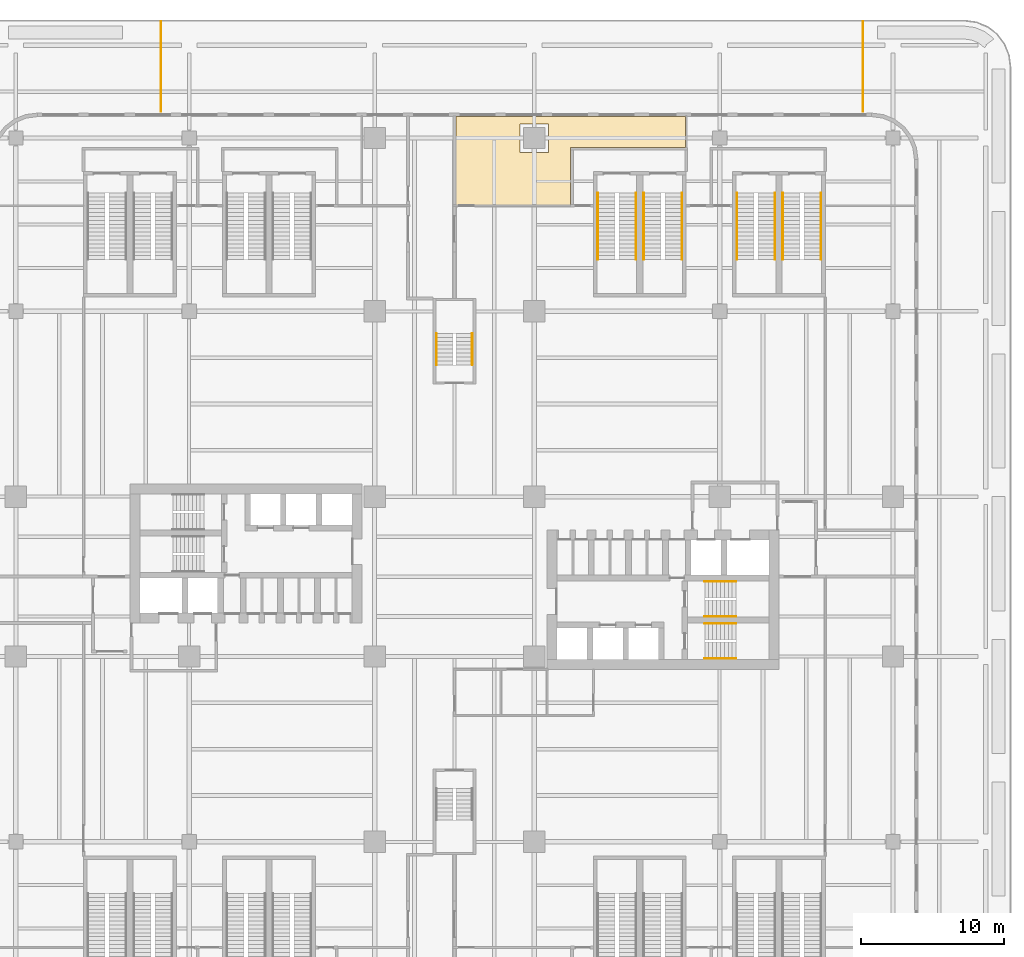
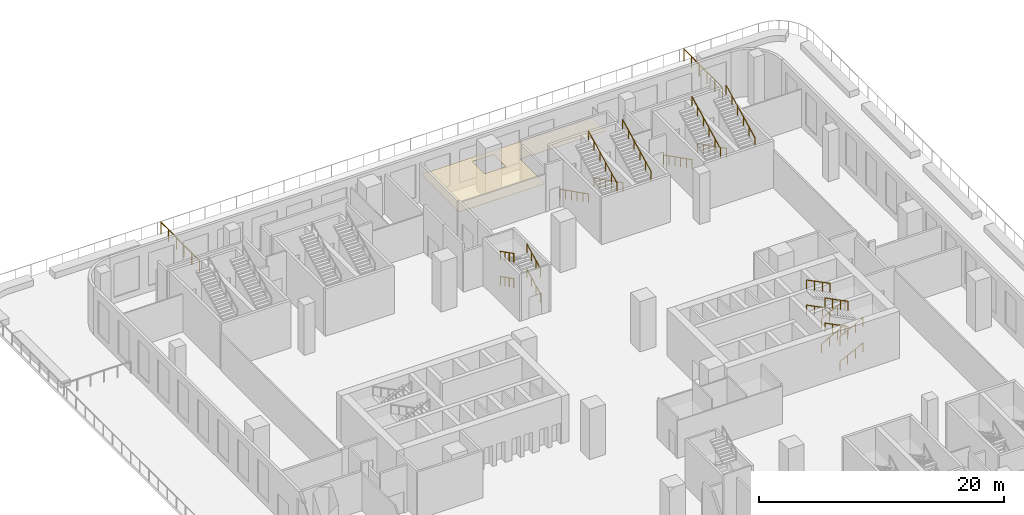
# One storey, part 17 of 17: 22 railings, 1 covering.
"""IFC4 building model written with IfcOpenShell, lengths in metres."""

from ifc_helpers import new_model, si_unit, direction, frame, origin, origin_2d, place, context, subcontext, project, spatial, polyline, rectangle, circle, outline, extrude, source, transform, mapped, material, layer, layer_set, type_object, element, save


model = new_model("IFC4")

# Units and contexts
model_context = context("Model", 3, precision=1e-05, world=origin(), true_north=direction((0.0, 1.0)))
body_context = subcontext(model_context, "Body", "Model", "MODEL_VIEW")
ifc_project = project(units=[si_unit("LENGTHUNIT", "METRE"), si_unit("AREAUNIT", "SQUARE_METRE"), si_unit("VOLUMEUNIT", "CUBIC_METRE"), si_unit("PLANEANGLEUNIT", "RADIAN"), si_unit("MASSUNIT", "GRAM", prefix="KILO")], contexts=[model_context])

# Site, building, storey
site_placement = place(None, origin())
site = spatial("IfcSite", under=ifc_project, at=site_placement, CompositionType="ELEMENT")
building_placement = place(site_placement, origin())
building = spatial("IfcBuilding", under=site, at=building_placement, Name="Trellis Farm Tower", CompositionType="ELEMENT")
storey_placement = place(building_placement, frame((0.0, 0.0, 24.0)))
storey = spatial("IfcBuildingStorey", under=building, at=storey_placement, Name="L04", CompositionType="ELEMENT", Elevation=24.0)

# Covering
ifc_material_1 = material(Name="Mineral fibre ceiling tile on concealed grid")
ifc_layer = layer(ifc_material_1, 0.0400390625)
ifc_layer_set = layer_set([ifc_layer], Name="MINERAL FIBRE CEILING TILE 40")
covering_type = type_object("IfcCoveringType", Name="MINERAL FIBRE CEILING TILE 40", PredefinedType="CEILING", material=ifc_layer_set)
covering_placement = place(storey_placement, frame((0.0, 0.0, 2.699951171875)))
element("IfcCovering", 1, at=covering_placement, inside=storey, type_object=covering_type, Name="CL1 suspended ceiling", PredefinedType="CEILING", context=body_context, shape_type="SweptSolid", body=[
    extrude(outline(polyline([(16.199951171875, 30.10009765625), (8.14990234375, 30.10009765625), (8.14990234375, 26.0625), (0.10009765625, 26.0625), (0.10009765625, 32.25), (16.199951171875, 32.25), (16.199951171875, 30.10009765625)]), holes=[polyline([(4.60009765625, 29.75), (6.60009765625, 29.75), (6.60009765625, 31.75), (4.60009765625, 31.75), (4.60009765625, 29.75)])]), origin(), (0.0, 0.0, 1.0), 0.0400390625),
])

# Railings
ifc_material_2 = material(Name="Stainless steel", Category="steel")
railing_type_1 = type_object("IfcRailingType", Name="STAIR HANDRAIL 900", PredefinedType="HANDRAIL", material=ifc_material_2)
shared_shape_1 = source(origin(), body_context, "Body", "SweptSolid", [
    extrude(circle(Radius=0.02392578125, at=origin_2d()), frame((0.0, 0.0, 0.8759765625), z_axis=(0.0, 0.892617056473, 0.450815694596), x_axis=(-1.0, 0.0, 0.0)), (0.0, 0.0, 1.0), 2.464599609375),
    extrude(circle(Radius=0.02099609375, at=origin_2d()), origin(), (0.0, 0.0, 1.0), 0.851806640625),
    extrude(circle(Radius=0.02099609375, at=origin_2d()), frame((0.0, 0.7333984375, 0.370361328125)), (0.0, 0.0, 1.0), 0.851806640625),
    extrude(circle(Radius=0.02099609375, at=origin_2d()), frame((0.0, 1.466552734375, 0.74072265625)), (0.0, 0.0, 1.0), 0.851806640625),
    extrude(circle(Radius=0.02099609375, at=origin_2d()), frame((0.0, 2.199951171875, 1.111083984375)), (0.0, 0.0, 1.0), 0.851806640625),
])
for number, where, name in (
    (2, (1.25, 14.85009765625, 0.138916015625), "Stair handrail"),
    (3, (1.25, 14.85009765625, 2.638916015625), "Stair handrail"),
):
    element("IfcRailing", number, at=place(storey_placement, frame(where)), inside=storey, type_object=railing_type_1, Name=name, PredefinedType="HANDRAIL", context=body_context, shape_type="MappedRepresentation", body=[
        mapped(shared_shape_1, transform((0.0, 0.0, 0.0))),
    ])
shared_shape_2 = source(origin(), body_context, "Body", "SweptSolid", [
    extrude(circle(Radius=0.02392578125, at=origin_2d()), frame((0.0, 0.0, 0.8759765625), z_axis=(0.0, -0.892617056473, 0.450815694596), x_axis=(1.0, 0.0, 0.0)), (0.0, 0.0, 1.0), 2.464599609375),
    extrude(circle(Radius=0.02099609375, at=origin_2d()), origin(), (0.0, 0.0, 1.0), 0.851806640625),
    extrude(circle(Radius=0.02099609375, at=origin_2d()), frame((0.0, -0.7333984375, 0.370361328125)), (0.0, 0.0, 1.0), 0.851806640625),
    extrude(circle(Radius=0.02099609375, at=origin_2d()), frame((0.0, -1.466552734375, 0.74072265625)), (0.0, 0.0, 1.0), 0.851806640625),
    extrude(circle(Radius=0.02099609375, at=origin_2d()), frame((0.0, -2.199951171875, 1.111083984375)), (0.0, 0.0, 1.0), 0.851806640625),
])
for number, where, name in (
    (4, (-1.25, 17.050048828125, 1.388916015625), "Stair handrail"),
    (5, (-1.25, 17.050048828125, 3.888916015625), "Stair handrail"),
):
    element("IfcRailing", number, at=place(storey_placement, frame(where)), inside=storey, type_object=railing_type_1, Name=name, PredefinedType="HANDRAIL", context=body_context, shape_type="MappedRepresentation", body=[
        mapped(shared_shape_2, transform((0.0, 0.0, 0.0))),
    ])
shared_shape_3 = source(origin(), body_context, "Body", "SweptSolid", [
    extrude(circle(Radius=0.02392578125, at=origin_2d()), frame((0.0, 0.0, 0.8759765625), z_axis=(0.892617056473, 0.0, 0.450815694596), x_axis=(0.0, 1.0, 0.0)), (0.0, 0.0, 1.0), 2.464599609375),
    extrude(circle(Radius=0.02099609375, at=origin_2d()), origin(), (0.0, 0.0, 1.0), 0.851806640625),
    extrude(circle(Radius=0.02099609375, at=origin_2d()), frame((0.7333984375, 0.0, 0.370361328125)), (0.0, 0.0, 1.0), 0.851806640625),
    extrude(circle(Radius=0.02099609375, at=origin_2d()), frame((1.466552734375, 0.0, 0.74072265625)), (0.0, 0.0, 1.0), 0.851806640625),
    extrude(circle(Radius=0.02099609375, at=origin_2d()), frame((2.199951171875, 0.0, 1.111083984375)), (0.0, 0.0, 1.0), 0.851806640625),
])
for number, where, name in (
    (6, (17.550048828125, -5.75, 0.138916015625), "Stair handrail"),
    (7, (17.550048828125, -5.75, 2.638916015625), "Stair handrail"),
    (8, (17.550048828125, -2.800048828125, 0.138916015625), "Stair handrail"),
    (9, (17.550048828125, -2.800048828125, 2.638916015625), "Stair handrail"),
):
    element("IfcRailing", number, at=place(storey_placement, frame(where)), inside=storey, type_object=railing_type_1, Name=name, PredefinedType="HANDRAIL", context=body_context, shape_type="MappedRepresentation", body=[
        mapped(shared_shape_3, transform((0.0, 0.0, 0.0))),
    ])
shared_shape_4 = source(origin(), body_context, "Body", "SweptSolid", [
    extrude(circle(Radius=0.02392578125, at=origin_2d()), frame((0.0, 0.0, 0.8759765625), z_axis=(-0.892617056473, 0.0, 0.450815694596), x_axis=(0.0, -1.0, 0.0)), (0.0, 0.0, 1.0), 2.464599609375),
    extrude(circle(Radius=0.02099609375, at=origin_2d()), origin(), (0.0, 0.0, 1.0), 0.851806640625),
    extrude(circle(Radius=0.02099609375, at=origin_2d()), frame((-0.7333984375, 0.0, 0.370361328125)), (0.0, 0.0, 1.0), 0.851806640625),
    extrude(circle(Radius=0.02099609375, at=origin_2d()), frame((-1.466552734375, 0.0, 0.74072265625)), (0.0, 0.0, 1.0), 0.851806640625),
    extrude(circle(Radius=0.02099609375, at=origin_2d()), frame((-2.199951171875, 0.0, 1.111083984375)), (0.0, 0.0, 1.0), 0.851806640625),
])
for number, where, name in (
    (10, (19.75, -3.300048828125, 1.388916015625), "Stair handrail"),
    (11, (19.75, -3.300048828125, 3.888916015625), "Stair handrail"),
    (12, (19.75, -0.35009765625, 1.388916015625), "Stair handrail"),
    (13, (19.75, -0.35009765625, 3.888916015625), "Stair handrail"),
):
    element("IfcRailing", number, at=place(storey_placement, frame(where)), inside=storey, type_object=railing_type_1, Name=name, PredefinedType="HANDRAIL", context=body_context, shape_type="MappedRepresentation", body=[
        mapped(shared_shape_4, transform((0.0, 0.0, 0.0))),
    ])
shared_shape_5 = source(origin(), body_context, "Body", "SweptSolid", [
    extrude(circle(Radius=0.02392578125, at=origin_2d()), frame((0.0, 0.0, 0.8759765625), z_axis=(0.0, -0.892611158778, 0.450827371868), x_axis=(1.0, 0.0, 0.0)), (0.0, 0.0, 1.0), 5.2373046875),
    extrude(circle(Radius=0.02099609375, at=origin_2d()), origin(), (0.0, 0.0, 1.0), 0.851806640625),
    extrude(circle(Radius=0.02099609375, at=origin_2d()), frame((0.0, -0.93505859375, 0.47216796875)), (0.0, 0.0, 1.0), 0.851806640625),
    extrude(circle(Radius=0.02099609375, at=origin_2d()), frame((0.0, -1.869873046875, 0.9443359375)), (0.0, 0.0, 1.0), 0.851806640625),
    extrude(circle(Radius=0.02099609375, at=origin_2d()), frame((0.0, -2.804931640625, 1.416748046875)), (0.0, 0.0, 1.0), 0.851806640625),
    extrude(circle(Radius=0.02099609375, at=origin_2d()), frame((0.0, -3.73974609375, 1.888916015625)), (0.0, 0.0, 1.0), 0.851806640625),
    extrude(circle(Radius=0.02099609375, at=origin_2d()), frame((0.0, -4.6748046875, 2.361083984375)), (0.0, 0.0, 1.0), 0.851806640625),
])
for number, where, name in (
    (14, (10.050048828125, 26.89990234375, 0.138916015625), "Stair handrail"),
    (15, (13.27001953125, 26.89990234375, 0.138916015625), "Stair handrail"),
    (16, (19.800048828125, 26.89990234375, 0.138916015625), "Stair handrail"),
    (17, (23.02001953125, 26.89990234375, 0.138916015625), "Stair handrail"),
):
    element("IfcRailing", number, at=place(storey_placement, frame(where)), inside=storey, type_object=railing_type_1, Name=name, PredefinedType="HANDRAIL", context=body_context, shape_type="MappedRepresentation", body=[
        mapped(shared_shape_5, transform((0.0, 0.0, 0.0))),
    ])
shared_shape_6 = source(origin(), body_context, "Body", "SweptSolid", [
    extrude(circle(Radius=0.02392578125, at=origin_2d()), frame((0.0, 0.0, 0.8759765625), z_axis=(0.0, 0.892611158778, 0.450827371868), x_axis=(-1.0, 0.0, 0.0)), (0.0, 0.0, 1.0), 5.2373046875),
    extrude(circle(Radius=0.02099609375, at=origin_2d()), origin(), (0.0, 0.0, 1.0), 0.851806640625),
    extrude(circle(Radius=0.02099609375, at=origin_2d()), frame((0.0, 0.93505859375, 0.47216796875)), (0.0, 0.0, 1.0), 0.851806640625),
    extrude(circle(Radius=0.02099609375, at=origin_2d()), frame((0.0, 1.869873046875, 0.9443359375)), (0.0, 0.0, 1.0), 0.851806640625),
    extrude(circle(Radius=0.02099609375, at=origin_2d()), frame((0.0, 2.804931640625, 1.416748046875)), (0.0, 0.0, 1.0), 0.851806640625),
    extrude(circle(Radius=0.02099609375, at=origin_2d()), frame((0.0, 3.73974609375, 1.888916015625)), (0.0, 0.0, 1.0), 0.851806640625),
    extrude(circle(Radius=0.02099609375, at=origin_2d()), frame((0.0, 4.6748046875, 2.361083984375)), (0.0, 0.0, 1.0), 0.851806640625),
])
for number, where, name in (
    (18, (12.72998046875, 22.22509765625, 2.638916015625), "Stair handrail"),
    (19, (15.949951171875, 22.22509765625, 2.638916015625), "Stair handrail"),
    (20, (22.47998046875, 22.22509765625, 2.638916015625), "Stair handrail"),
    (21, (25.699951171875, 22.22509765625, 2.638916015625), "Stair handrail"),
):
    element("IfcRailing", number, at=place(storey_placement, frame(where)), inside=storey, type_object=railing_type_1, Name=name, PredefinedType="HANDRAIL", context=body_context, shape_type="MappedRepresentation", body=[
        mapped(shared_shape_6, transform((0.0, 0.0, 0.0))),
    ])
ifc_material_3 = material(Name="Stainless steel 316", Category="steel")
railing_type_2 = type_object("IfcRailingType", Name="BALUSTRADE GUARD 1200", PredefinedType="GUARDRAIL", material=ifc_material_3)
shared_shape_7 = source(origin(), body_context, "Body", "SweptSolid", [
    extrude(rectangle(XDim=0.050048828125, YDim=0.050048828125, at=origin_2d()), frame((0.0, 0.0, 1.1748046875), z_axis=(0.0, 1.0, 0.0), x_axis=(-1.0, 0.0, 0.0)), (0.0, 0.0, 1.0), 6.2998046875),
    extrude(rectangle(XDim=0.0400390625, YDim=0.0400390625, at=origin_2d()), origin(), (0.0, 0.0, 1.0), 1.14990234375),
    extrude(rectangle(XDim=0.0400390625, YDim=0.0400390625, at=origin_2d()), frame((0.0, 1.260009765625, 0.0)), (0.0, 0.0, 1.0), 1.14990234375),
    extrude(rectangle(XDim=0.0400390625, YDim=0.0400390625, at=origin_2d()), frame((0.0, 2.52001953125, 0.0)), (0.0, 0.0, 1.0), 1.14990234375),
    extrude(rectangle(XDim=0.0400390625, YDim=0.0400390625, at=origin_2d()), frame((0.0, 3.77978515625, 0.0)), (0.0, 0.0, 1.0), 1.14990234375),
    extrude(rectangle(XDim=0.0400390625, YDim=0.0400390625, at=origin_2d()), frame((0.0, 5.039794921875, 0.0)), (0.0, 0.0, 1.0), 1.14990234375),
    extrude(rectangle(XDim=0.0400390625, YDim=0.0400390625, at=origin_2d()), frame((0.0, 6.2998046875, 0.0)), (0.0, 0.0, 1.0), 1.14990234375),
])
railing_1_placement = place(storey_placement, frame((-20.580810546875, 32.60009765625, 0.0)))
element("IfcRailing", 22, at=railing_1_placement, inside=storey, type_object=railing_type_2, Name="GD2 ZN-1", PredefinedType="GUARDRAIL", context=body_context, shape_type="MappedRepresentation", body=[
    mapped(shared_shape_7, transform((0.0, 0.0, 0.0))),
])
shared_shape_8 = source(origin(), body_context, "Body", "SweptSolid", [
    extrude(rectangle(XDim=0.050048828125, YDim=0.050048828125, at=origin_2d()), frame((0.0, 0.0, 1.1748046875), z_axis=(0.0, -1.0, 0.0), x_axis=(1.0, 0.0, 0.0)), (0.0, 0.0, 1.0), 6.2998046875),
    extrude(rectangle(XDim=0.0400390625, YDim=0.0400390625, at=origin_2d()), origin(), (0.0, 0.0, 1.0), 1.14990234375),
    extrude(rectangle(XDim=0.0400390625, YDim=0.0400390625, at=origin_2d()), frame((0.0, -1.260009765625, 0.0)), (0.0, 0.0, 1.0), 1.14990234375),
    extrude(rectangle(XDim=0.0400390625, YDim=0.0400390625, at=origin_2d()), frame((0.0, -2.52001953125, 0.0)), (0.0, 0.0, 1.0), 1.14990234375),
    extrude(rectangle(XDim=0.0400390625, YDim=0.0400390625, at=origin_2d()), frame((0.0, -3.77978515625, 0.0)), (0.0, 0.0, 1.0), 1.14990234375),
    extrude(rectangle(XDim=0.0400390625, YDim=0.0400390625, at=origin_2d()), frame((0.0, -5.039794921875, 0.0)), (0.0, 0.0, 1.0), 1.14990234375),
    extrude(rectangle(XDim=0.0400390625, YDim=0.0400390625, at=origin_2d()), frame((0.0, -6.2998046875, 0.0)), (0.0, 0.0, 1.0), 1.14990234375),
])
railing_2_placement = place(storey_placement, frame((28.64990234375, 38.89990234375, 0.0)))
element("IfcRailing", 23, at=railing_2_placement, inside=storey, type_object=railing_type_2, Name="GD2 ZN-2", PredefinedType="GUARDRAIL", context=body_context, shape_type="MappedRepresentation", body=[
    mapped(shared_shape_8, transform((0.0, 0.0, 0.0))),
])

save(model, "model.ifc")
